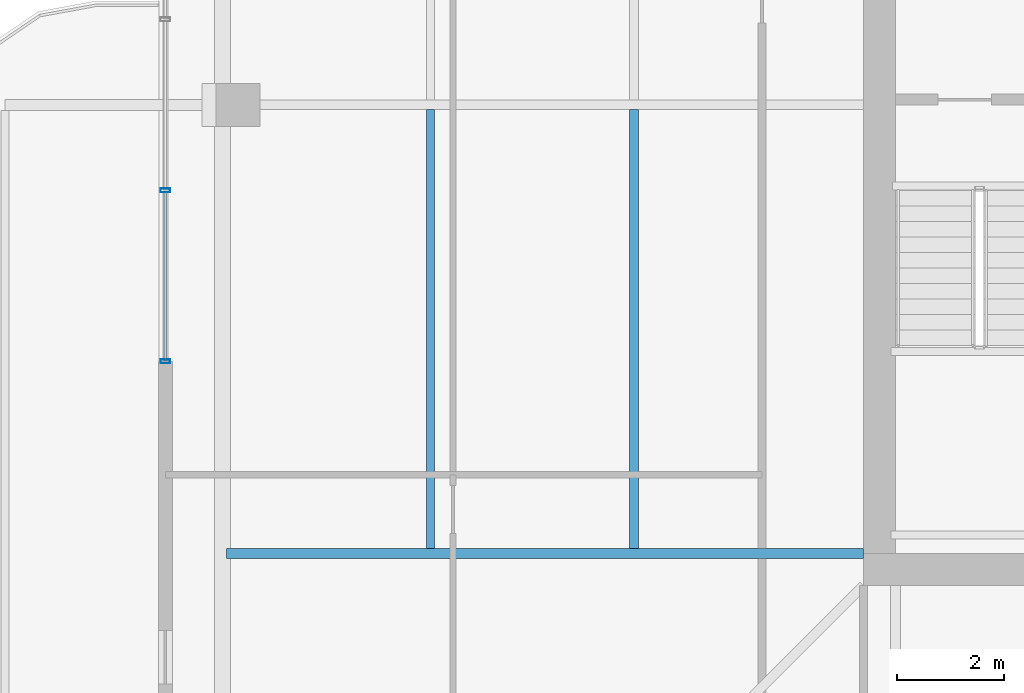
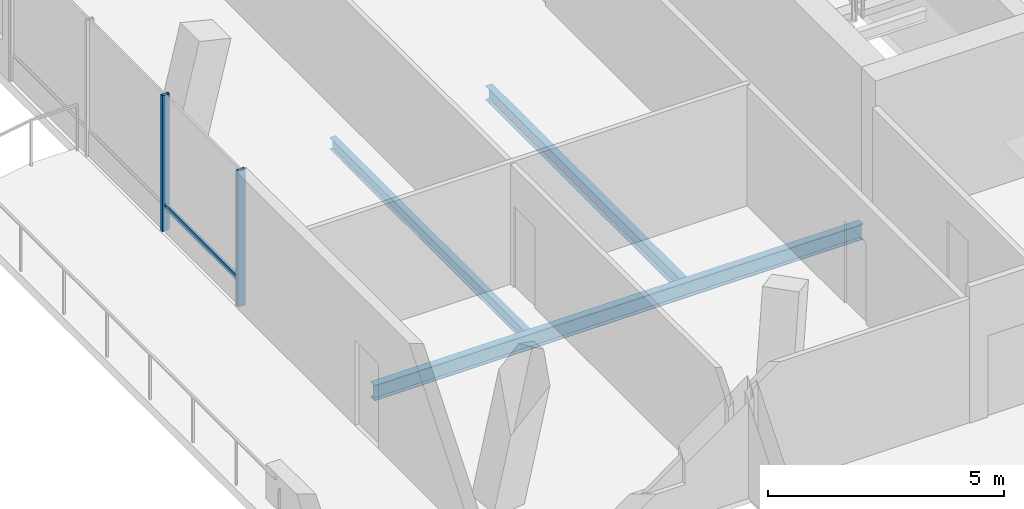
# One storey, part 5 of 19: 3 beams, 3 members, 1 element without a shape of its own.
"""IFC4 building model written with IfcOpenShell, lengths in metres."""

from ifc_helpers import new_model, si_unit, direction, frame, origin, origin_2d, place, context, subcontext, project, spatial, hollow_rectangle, i_section, extrude, material, layer, layer_set, material_profile, profile_set, type_object, element, aggregate, save


model = new_model("IFC4")

# Units and contexts
model_context = context("Model", 3, precision=1e-05, world=origin(), true_north=direction((0.0, 1.0)))
body_context = subcontext(model_context, "Body", "Model", "MODEL_VIEW")
ifc_project = project(units=[si_unit("LENGTHUNIT", "METRE"), si_unit("AREAUNIT", "SQUARE_METRE"), si_unit("VOLUMEUNIT", "CUBIC_METRE"), si_unit("PLANEANGLEUNIT", "RADIAN"), si_unit("MASSUNIT", "GRAM", prefix="KILO")], contexts=[model_context])

# Site, building, storey
site_placement = place(None, origin())
site = spatial("IfcSite", under=ifc_project, at=site_placement, CompositionType="ELEMENT")
building_placement = place(site_placement, origin())
building = spatial("IfcBuilding", under=site, at=building_placement, Name="Belovzor Exchange Tower", CompositionType="ELEMENT")
storey_placement = place(building_placement, frame((0.0, 0.0, 340.5)))
storey = spatial("IfcBuildingStorey", under=building, at=storey_placement, Name="L85", CompositionType="ELEMENT", Elevation=340.5)

# Beams
ifc_material_1 = material(Name="Steel S355", Category="steel")
ifc_material_profile_1 = material_profile(ifc_material_1, i_section(OverallWidth=0.169921875, OverallDepth=0.360107421875, WebThickness=0.008056640625, FlangeThickness=0.0126953125, at=origin_2d()))
ifc_profile_set_1 = profile_set([ifc_material_profile_1], Name="Steel S355")
beam_type_1 = type_object("IfcBeamType", Name="Secondary Infill Floor Joist IPE 360", PredefinedType="BEAM", material=ifc_profile_set_1)
beam_1_placement = place(storey_placement, frame((15.507080078125, 20.489990234375, -0.419921875), z_axis=(0.0, 1.0, 0.0), x_axis=(-1.0, 0.0, 0.0)))
element("IfcBeam", 1, at=beam_1_placement, inside=storey, type_object=beam_type_1, Name="FJ-360 Secondary Infill Floor Joist IPE 360", PredefinedType="BEAM", context=body_context, shape_type="SweptSolid", body=[
    extrude(i_section(OverallWidth=0.169921875, OverallDepth=0.360107421875, WebThickness=0.008056640625, FlangeThickness=0.0126953125, at=origin_2d()), origin(), (0.0, 0.0, 1.0), 8.219970703125),
])
ifc_material_2 = material(Name="Steel S355", Category="steel")
ifc_material_profile_2 = material_profile(ifc_material_2, i_section(OverallWidth=0.14990234375, OverallDepth=0.300048828125, WebThickness=0.007080078125, FlangeThickness=0.0107421875, at=origin_2d()))
ifc_profile_set_2 = profile_set([ifc_material_profile_2], Name="Steel S355")
beam_type_2 = type_object("IfcBeamType", Name="Secondary Trim Floor Joist IPE 300", PredefinedType="BEAM", material=ifc_profile_set_2)
beam_2_placement = place(storey_placement, frame((11.69091796875, 20.489990234375, -0.389892578125), z_axis=(0.0, 1.0, 0.0), x_axis=(-1.0, 0.0, 0.0)))
element("IfcBeam", 2, at=beam_2_placement, inside=storey, type_object=beam_type_2, Name="FJ-300 Secondary Trim Floor Joist IPE 300", PredefinedType="BEAM", context=body_context, shape_type="SweptSolid", body=[
    extrude(i_section(OverallWidth=0.14990234375, OverallDepth=0.300048828125, WebThickness=0.007080078125, FlangeThickness=0.0107421875, at=origin_2d()), origin(), (0.0, 0.0, 1.0), 8.219970703125),
])

# Curtain wall, members
ifc_material_3 = material(Name="Anodised Aluminium Framing", Category="aluminium")
ifc_layer = layer(ifc_material_3, 0.179931640625)
ifc_layer_set = layer_set([ifc_layer], Name="Anodised Aluminium Framing")
curtain_wall_type = type_object("IfcCurtainWallType", Name="Recessed Loggia Low-Iron Triple-Glazed Curtain Wall", PredefinedType="NOTDEFINED", material=ifc_layer_set)
curtain_wall_placement = place(storey_placement, origin())
curtain_wall = element("IfcCurtainWall", 3, at=curtain_wall_placement, inside=storey, type_object=curtain_wall_type, Name="CW3 Recessed Loggia Low-Iron Triple-Glazed Curtain Wall L85", PredefinedType="NOTDEFINED")
ifc_material_4 = material(Name="Steel S355", Category="steel")
ifc_material_profile_3 = material_profile(ifc_material_4, hollow_rectangle(XDim=0.074951171875, YDim=0.179931640625, WallThickness=0.0048828125, at=origin_2d()))
ifc_profile_set_3 = profile_set([ifc_material_profile_3], Name="Steel S355")
member_type_1 = type_object("IfcMemberType", Name="Thermally Broken Curtain Wall Mullion 180x75", PredefinedType="MULLION", material=ifc_profile_set_3)
member_1_placement = place(storey_placement, frame((6.72998046875, 24.0, 0.0), z_axis=(0.0, 0.0, 1.0), x_axis=(0.0, 1.0, 0.0)))
member_1 = element("IfcMember", 4, at=member_1_placement, type_object=member_type_1, Name="CW-M180 Curtain Wall Mullion 1", PredefinedType="MULLION", context=body_context, shape_type="SweptSolid", body=[
    extrude(hollow_rectangle(XDim=0.074951171875, YDim=0.179931640625, WallThickness=0.0048828125, at=origin_2d()), origin(), (0.0, 0.0, 1.0), 3.510009765625),
])
member_2_placement = place(storey_placement, frame((6.72998046875, 27.199951171875, 0.0), z_axis=(0.0, 0.0, 1.0), x_axis=(0.0, 1.0, 0.0)))
member_2 = element("IfcMember", 5, at=member_2_placement, type_object=member_type_1, Name="CW-M180 Curtain Wall Mullion 2", PredefinedType="MULLION", context=body_context, shape_type="SweptSolid", body=[
    extrude(hollow_rectangle(XDim=0.074951171875, YDim=0.179931640625, WallThickness=0.0048828125, at=origin_2d()), origin(), (0.0, 0.0, 1.0), 3.510009765625),
])
ifc_material_5 = material(Name="Steel S355", Category="steel")
ifc_material_profile_4 = material_profile(ifc_material_5, hollow_rectangle(XDim=0.06005859375, YDim=0.14990234375, WallThickness=0.00390625, at=origin_2d()))
ifc_profile_set_4 = profile_set([ifc_material_profile_4], Name="Steel S355")
member_type_2 = type_object("IfcMemberType", Name="Thermally Broken Curtain Wall Transom 150x60", PredefinedType="USERDEFINED", material=ifc_profile_set_4)
member_3_placement = place(storey_placement, frame((6.72998046875, 24.008056640625, 0.632080078125), z_axis=(0.0, 1.0, 0.0), x_axis=(-1.0, 0.0, 0.0)))
member_3 = element("IfcMember", 6, at=member_3_placement, type_object=member_type_2, Name="CW-T150 Curtain Wall Transom 1", ObjectType="TRANSOM", PredefinedType="USERDEFINED", context=body_context, shape_type="SweptSolid", body=[
    extrude(hollow_rectangle(XDim=0.06005859375, YDim=0.14990234375, WallThickness=0.00390625, at=origin_2d()), origin(), (0.0, 0.0, 1.0), 3.183837890625),
])
aggregate(curtain_wall, [member_1, member_2, member_3])

# Beam
ifc_material_6 = material(Name="Steel S355", Category="steel")
ifc_material_profile_5 = material_profile(ifc_material_6, i_section(OverallWidth=0.179931640625, OverallDepth=0.39990234375, WebThickness=0.008544921875, FlangeThickness=0.013427734375, at=origin_2d()))
ifc_profile_set_5 = profile_set([ifc_material_profile_5], Name="Steel S355")
beam_type_3 = type_object("IfcBeamType", Name="Zone 5-6 Radial Composite Floor Beam IPE 400", PredefinedType="BEAM", material=ifc_profile_set_5)
beam_3_placement = place(storey_placement, frame((19.800048828125, 20.39990234375, -0.43994140625), z_axis=(-1.0, 0.0, 0.0), x_axis=(0.0, -1.0, 0.0)))
element("IfcBeam", 7, at=beam_3_placement, inside=storey, type_object=beam_type_3, Name="FB-400 Zone 5-6 Radial Composite Floor Beam IPE 400", PredefinedType="BEAM", context=body_context, shape_type="SweptSolid", body=[
    extrude(i_section(OverallWidth=0.179931640625, OverallDepth=0.39990234375, WebThickness=0.008544921875, FlangeThickness=0.013427734375, at=origin_2d()), origin(), (0.0, 0.0, 1.0), 11.925048828125),
])

save(model, "model.ifc")
